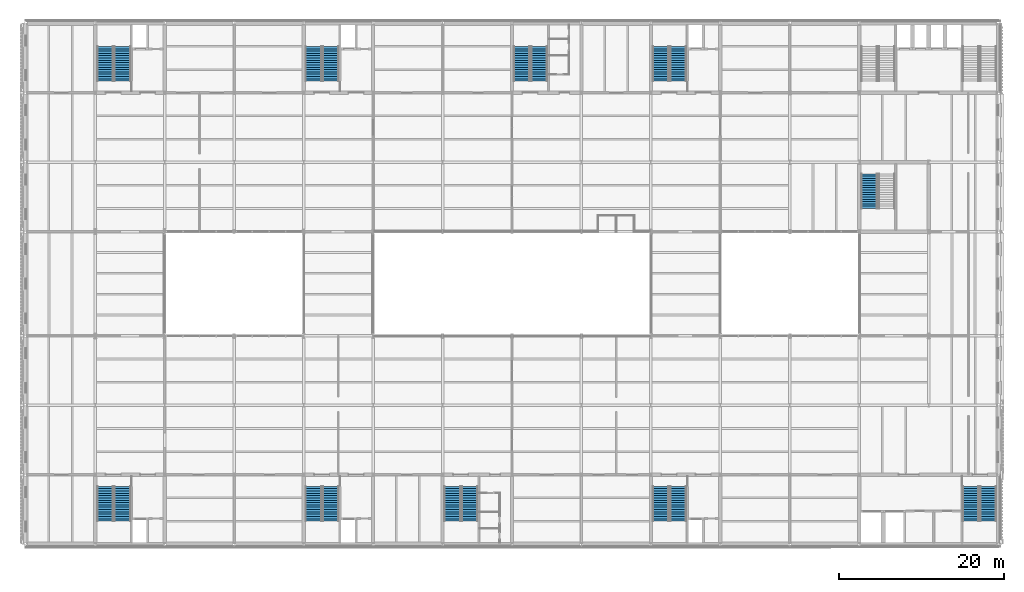
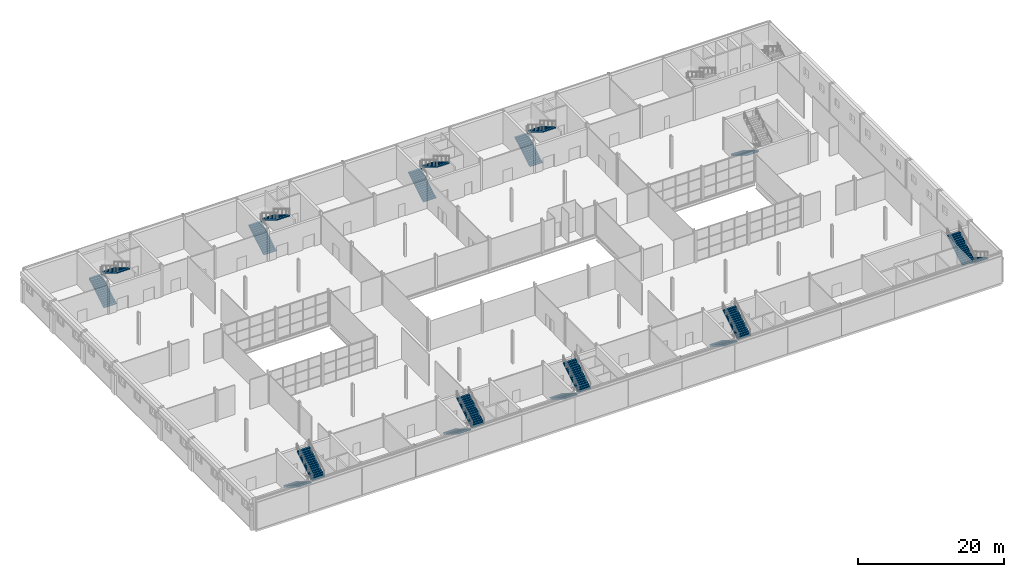
# One storey, part 36 of 57: 19 stair flights, 10 elements without a shape of their own.
"""IFC4 building model written with IfcOpenShell, lengths in metres."""

from ifc_helpers import new_model, si_unit, direction, frame, origin, place, context, subcontext, project, spatial, polyline, outline, extrude, material, type_object, element, aggregate, save


model = new_model("IFC4")

# Units and contexts
model_context = context("Model", 3, precision=1e-05, world=origin(), true_north=direction((0.0, 1.0)))
body_context = subcontext(model_context, "Body", "Model", "MODEL_VIEW")
ifc_project = project(units=[si_unit("LENGTHUNIT", "METRE"), si_unit("AREAUNIT", "SQUARE_METRE"), si_unit("VOLUMEUNIT", "CUBIC_METRE"), si_unit("PLANEANGLEUNIT", "RADIAN"), si_unit("MASSUNIT", "GRAM", prefix="KILO")], contexts=[model_context])

# Site, building, storey
site_placement = place(None, origin())
site = spatial("IfcSite", under=ifc_project, at=site_placement, CompositionType="ELEMENT")
building_placement = place(site_placement, origin())
building = spatial("IfcBuilding", under=site, at=building_placement, Name="Galleria Vessillo Department Store", CompositionType="ELEMENT")
storey_placement = place(building_placement, frame((0.0, 0.0, 25.800048828125)))
storey = spatial("IfcBuildingStorey", under=building, at=storey_placement, Name="L05", CompositionType="ELEMENT", Elevation=25.800048828125)

# Stair, stair flights
ifc_material_1 = material(Name="Concrete C32/40", Category="concrete")
stair_type = type_object("IfcStairType", Name="Half-turn escape stair 2000 mm, 32 risers of 169 mm", PredefinedType="HALF_TURN_STAIR", material=ifc_material_1)
stair_1_placement = place(storey_placement, origin())
stair_1 = element("IfcStair", 1, at=stair_1_placement, inside=storey, type_object=stair_type, Name="Stair ST1 L05", PredefinedType="HALF_TURN_STAIR")
ifc_material_2 = material(Name="Concrete C32/40", Category="concrete")
stair_flight_type = type_object("IfcStairFlightType", Name="Stair flight 2000 mm, 16 risers of 169 mm", PredefinedType="STRAIGHT", material=ifc_material_2)
stair_flight_1_placement = place(storey_placement, frame((9.60009765625, 7.00048828125, 0.0), z_axis=(0.0, 0.0, 1.0), x_axis=(0.0, -1.0, 0.0)))
stair_flight_1 = element("IfcStairFlight", 2, at=stair_flight_1_placement, type_object=stair_flight_type, Name="ST1 flight 1", NumberOfRisers=16, NumberOfTreads=15, PredefinedType="STRAIGHT", RiserHeight=0.16875, TreadLength=0.28, context=body_context, shape_type="SweptSolid", body=[
    extrude(outline(polyline([(0.0, 0.0), (0.0, 0.168701171875), (0.280029296875, 0.168701171875), (0.280029296875, 0.33740234375), (0.56005859375, 0.33740234375), (0.56005859375, 0.50634765625), (0.840087890625, 0.50634765625), (0.840087890625, 0.675048828125), (1.1201171875, 0.675048828125), (1.1201171875, 0.84375), (1.39990234375, 0.84375), (1.39990234375, 1.012451171875), (1.679931640625, 1.012451171875), (1.679931640625, 1.18115234375), (1.9599609375, 1.18115234375), (1.9599609375, 1.35009765625), (2.239990234375, 1.35009765625), (2.239990234375, 1.518798828125), (2.52001953125, 1.518798828125), (2.52001953125, 1.6875), (2.800048828125, 1.6875), (2.800048828125, 1.856201171875), (3.080078125, 1.856201171875), (3.080078125, 2.02490234375), (3.360107421875, 2.02490234375), (3.360107421875, 2.19384765625), (3.639892578125, 2.19384765625), (3.639892578125, 2.362548828125), (3.919921875, 2.362548828125), (3.919921875, 2.53125), (4.199951171875, 2.53125), (4.199951171875, 2.699951171875), (4.199951171875, 2.344482421875), (0.309814453125, 0.0), (0.0, 0.0)])), frame((0.0, 1.0, 0.0), z_axis=(0.0, -1.0, 0.0), x_axis=(1.0, 0.0, 0.0)), (0.0, 0.0, 1.0), 2.0),
])
stair_flight_2_placement = place(storey_placement, frame((11.699951171875, 2.800537109375, 2.699951171875), z_axis=(0.0, 0.0, 1.0), x_axis=(0.0, 1.0, 0.0)))
stair_flight_2 = element("IfcStairFlight", 3, at=stair_flight_2_placement, type_object=stair_flight_type, Name="ST1 flight 2", NumberOfRisers=16, NumberOfTreads=15, PredefinedType="STRAIGHT", RiserHeight=0.16875, TreadLength=0.28, context=body_context, shape_type="SweptSolid", body=[
    extrude(outline(polyline([(0.0, 0.0), (0.0, 0.168701171875), (0.280029296875, 0.168701171875), (0.280029296875, 0.33740234375), (0.56005859375, 0.33740234375), (0.56005859375, 0.50634765625), (0.840087890625, 0.50634765625), (0.840087890625, 0.675048828125), (1.1201171875, 0.675048828125), (1.1201171875, 0.84375), (1.39990234375, 0.84375), (1.39990234375, 1.012451171875), (1.679931640625, 1.012451171875), (1.679931640625, 1.18115234375), (1.9599609375, 1.18115234375), (1.9599609375, 1.35009765625), (2.239990234375, 1.35009765625), (2.239990234375, 1.518798828125), (2.52001953125, 1.518798828125), (2.52001953125, 1.6875), (2.800048828125, 1.6875), (2.800048828125, 1.856201171875), (3.080078125, 1.856201171875), (3.080078125, 2.02490234375), (3.360107421875, 2.02490234375), (3.360107421875, 2.19384765625), (3.639892578125, 2.19384765625), (3.639892578125, 2.362548828125), (3.919921875, 2.362548828125), (3.919921875, 2.53125), (4.199951171875, 2.53125), (4.199951171875, 2.699951171875), (4.199951171875, 2.344482421875), (0.309814453125, 0.0), (0.0, 0.0)])), frame((0.0, 1.0, 0.0), z_axis=(0.0, -1.0, 0.0), x_axis=(1.0, 0.0, 0.0)), (0.0, 0.0, 1.0), 2.0),
])
aggregate(stair_1, [stair_flight_1, stair_flight_2])

stair_2_placement = place(storey_placement, origin())
stair_2 = element("IfcStair", 4, at=stair_2_placement, inside=storey, type_object=stair_type, Name="Stair ST2 L05", PredefinedType="HALF_TURN_STAIR")
stair_flight_3_placement = place(storey_placement, frame((9.60009765625, 55.99951171875, 0.0), z_axis=(0.0, 0.0, 1.0), x_axis=(0.0, 1.0, 0.0)))
stair_flight_3 = element("IfcStairFlight", 5, at=stair_flight_3_placement, type_object=stair_flight_type, Name="ST2 flight 1", NumberOfRisers=16, NumberOfTreads=15, PredefinedType="STRAIGHT", RiserHeight=0.16875, TreadLength=0.28, context=body_context, shape_type="SweptSolid", body=[
    extrude(outline(polyline([(0.0, 0.0), (0.0, 0.168701171875), (0.280029296875, 0.168701171875), (0.280029296875, 0.33740234375), (0.56005859375, 0.33740234375), (0.56005859375, 0.50634765625), (0.840087890625, 0.50634765625), (0.840087890625, 0.675048828125), (1.1201171875, 0.675048828125), (1.1201171875, 0.84375), (1.39990234375, 0.84375), (1.39990234375, 1.012451171875), (1.679931640625, 1.012451171875), (1.679931640625, 1.18115234375), (1.9599609375, 1.18115234375), (1.9599609375, 1.35009765625), (2.239990234375, 1.35009765625), (2.239990234375, 1.518798828125), (2.52001953125, 1.518798828125), (2.52001953125, 1.6875), (2.800048828125, 1.6875), (2.800048828125, 1.856201171875), (3.080078125, 1.856201171875), (3.080078125, 2.02490234375), (3.360107421875, 2.02490234375), (3.360107421875, 2.19384765625), (3.639892578125, 2.19384765625), (3.639892578125, 2.362548828125), (3.919921875, 2.362548828125), (3.919921875, 2.53125), (4.199951171875, 2.53125), (4.199951171875, 2.699951171875), (4.199951171875, 2.344482421875), (0.309814453125, 0.0), (0.0, 0.0)])), frame((0.0, 1.0, 0.0), z_axis=(0.0, -1.0, 0.0), x_axis=(1.0, 0.0, 0.0)), (0.0, 0.0, 1.0), 2.0),
])
stair_flight_4_placement = place(storey_placement, frame((11.699951171875, 60.199462890625, 2.699951171875), z_axis=(0.0, 0.0, 1.0), x_axis=(0.0, -1.0, 0.0)))
stair_flight_4 = element("IfcStairFlight", 6, at=stair_flight_4_placement, type_object=stair_flight_type, Name="ST2 flight 2", NumberOfRisers=16, NumberOfTreads=15, PredefinedType="STRAIGHT", RiserHeight=0.16875, TreadLength=0.28, context=body_context, shape_type="SweptSolid", body=[
    extrude(outline(polyline([(0.0, 0.0), (0.0, 0.168701171875), (0.280029296875, 0.168701171875), (0.280029296875, 0.33740234375), (0.56005859375, 0.33740234375), (0.56005859375, 0.50634765625), (0.840087890625, 0.50634765625), (0.840087890625, 0.675048828125), (1.1201171875, 0.675048828125), (1.1201171875, 0.84375), (1.39990234375, 0.84375), (1.39990234375, 1.012451171875), (1.679931640625, 1.012451171875), (1.679931640625, 1.18115234375), (1.9599609375, 1.18115234375), (1.9599609375, 1.35009765625), (2.239990234375, 1.35009765625), (2.239990234375, 1.518798828125), (2.52001953125, 1.518798828125), (2.52001953125, 1.6875), (2.800048828125, 1.6875), (2.800048828125, 1.856201171875), (3.080078125, 1.856201171875), (3.080078125, 2.02490234375), (3.360107421875, 2.02490234375), (3.360107421875, 2.19384765625), (3.639892578125, 2.19384765625), (3.639892578125, 2.362548828125), (3.919921875, 2.362548828125), (3.919921875, 2.53125), (4.199951171875, 2.53125), (4.199951171875, 2.699951171875), (4.199951171875, 2.344482421875), (0.309814453125, 0.0), (0.0, 0.0)])), frame((0.0, 1.0, 0.0), z_axis=(0.0, -1.0, 0.0), x_axis=(1.0, 0.0, 0.0)), (0.0, 0.0, 1.0), 2.0),
])
aggregate(stair_2, [stair_flight_3, stair_flight_4])

stair_3_placement = place(storey_placement, origin())
stair_3 = element("IfcStair", 7, at=stair_3_placement, inside=storey, type_object=stair_type, Name="Stair ST3 L05", PredefinedType="HALF_TURN_STAIR")
stair_flight_5_placement = place(storey_placement, frame((34.800048828125, 7.00048828125, 0.0), z_axis=(0.0, 0.0, 1.0), x_axis=(0.0, -1.0, 0.0)))
stair_flight_5 = element("IfcStairFlight", 8, at=stair_flight_5_placement, type_object=stair_flight_type, Name="ST3 flight 1", NumberOfRisers=16, NumberOfTreads=15, PredefinedType="STRAIGHT", RiserHeight=0.16875, TreadLength=0.28, context=body_context, shape_type="SweptSolid", body=[
    extrude(outline(polyline([(0.0, 0.0), (0.0, 0.168701171875), (0.280029296875, 0.168701171875), (0.280029296875, 0.33740234375), (0.56005859375, 0.33740234375), (0.56005859375, 0.50634765625), (0.840087890625, 0.50634765625), (0.840087890625, 0.675048828125), (1.1201171875, 0.675048828125), (1.1201171875, 0.84375), (1.39990234375, 0.84375), (1.39990234375, 1.012451171875), (1.679931640625, 1.012451171875), (1.679931640625, 1.18115234375), (1.9599609375, 1.18115234375), (1.9599609375, 1.35009765625), (2.239990234375, 1.35009765625), (2.239990234375, 1.518798828125), (2.52001953125, 1.518798828125), (2.52001953125, 1.6875), (2.800048828125, 1.6875), (2.800048828125, 1.856201171875), (3.080078125, 1.856201171875), (3.080078125, 2.02490234375), (3.360107421875, 2.02490234375), (3.360107421875, 2.19384765625), (3.639892578125, 2.19384765625), (3.639892578125, 2.362548828125), (3.919921875, 2.362548828125), (3.919921875, 2.53125), (4.199951171875, 2.53125), (4.199951171875, 2.699951171875), (4.199951171875, 2.344482421875), (0.309814453125, 0.0), (0.0, 0.0)])), frame((0.0, 1.0, 0.0), z_axis=(0.0, -1.0, 0.0), x_axis=(1.0, 0.0, 0.0)), (0.0, 0.0, 1.0), 2.0),
])
stair_flight_6_placement = place(storey_placement, frame((36.89990234375, 2.800537109375, 2.699951171875), z_axis=(0.0, 0.0, 1.0), x_axis=(0.0, 1.0, 0.0)))
stair_flight_6 = element("IfcStairFlight", 9, at=stair_flight_6_placement, type_object=stair_flight_type, Name="ST3 flight 2", NumberOfRisers=16, NumberOfTreads=15, PredefinedType="STRAIGHT", RiserHeight=0.16875, TreadLength=0.28, context=body_context, shape_type="SweptSolid", body=[
    extrude(outline(polyline([(0.0, 0.0), (0.0, 0.168701171875), (0.280029296875, 0.168701171875), (0.280029296875, 0.33740234375), (0.56005859375, 0.33740234375), (0.56005859375, 0.50634765625), (0.840087890625, 0.50634765625), (0.840087890625, 0.675048828125), (1.1201171875, 0.675048828125), (1.1201171875, 0.84375), (1.39990234375, 0.84375), (1.39990234375, 1.012451171875), (1.679931640625, 1.012451171875), (1.679931640625, 1.18115234375), (1.9599609375, 1.18115234375), (1.9599609375, 1.35009765625), (2.239990234375, 1.35009765625), (2.239990234375, 1.518798828125), (2.52001953125, 1.518798828125), (2.52001953125, 1.6875), (2.800048828125, 1.6875), (2.800048828125, 1.856201171875), (3.080078125, 1.856201171875), (3.080078125, 2.02490234375), (3.360107421875, 2.02490234375), (3.360107421875, 2.19384765625), (3.639892578125, 2.19384765625), (3.639892578125, 2.362548828125), (3.919921875, 2.362548828125), (3.919921875, 2.53125), (4.199951171875, 2.53125), (4.199951171875, 2.699951171875), (4.199951171875, 2.344482421875), (0.309814453125, 0.0), (0.0, 0.0)])), frame((0.0, 1.0, 0.0), z_axis=(0.0, -1.0, 0.0), x_axis=(1.0, 0.0, 0.0)), (0.0, 0.0, 1.0), 2.0),
])
aggregate(stair_3, [stair_flight_5, stair_flight_6])

stair_4_placement = place(storey_placement, origin())
stair_4 = element("IfcStair", 10, at=stair_4_placement, inside=storey, type_object=stair_type, Name="Stair ST4 L05", PredefinedType="HALF_TURN_STAIR")
stair_flight_7_placement = place(storey_placement, frame((34.800048828125, 55.99951171875, 0.0), z_axis=(0.0, 0.0, 1.0), x_axis=(0.0, 1.0, 0.0)))
stair_flight_7 = element("IfcStairFlight", 11, at=stair_flight_7_placement, type_object=stair_flight_type, Name="ST4 flight 1", NumberOfRisers=16, NumberOfTreads=15, PredefinedType="STRAIGHT", RiserHeight=0.16875, TreadLength=0.28, context=body_context, shape_type="SweptSolid", body=[
    extrude(outline(polyline([(0.0, 0.0), (0.0, 0.168701171875), (0.280029296875, 0.168701171875), (0.280029296875, 0.33740234375), (0.56005859375, 0.33740234375), (0.56005859375, 0.50634765625), (0.840087890625, 0.50634765625), (0.840087890625, 0.675048828125), (1.1201171875, 0.675048828125), (1.1201171875, 0.84375), (1.39990234375, 0.84375), (1.39990234375, 1.012451171875), (1.679931640625, 1.012451171875), (1.679931640625, 1.18115234375), (1.9599609375, 1.18115234375), (1.9599609375, 1.35009765625), (2.239990234375, 1.35009765625), (2.239990234375, 1.518798828125), (2.52001953125, 1.518798828125), (2.52001953125, 1.6875), (2.800048828125, 1.6875), (2.800048828125, 1.856201171875), (3.080078125, 1.856201171875), (3.080078125, 2.02490234375), (3.360107421875, 2.02490234375), (3.360107421875, 2.19384765625), (3.639892578125, 2.19384765625), (3.639892578125, 2.362548828125), (3.919921875, 2.362548828125), (3.919921875, 2.53125), (4.199951171875, 2.53125), (4.199951171875, 2.699951171875), (4.199951171875, 2.344482421875), (0.309814453125, 0.0), (0.0, 0.0)])), frame((0.0, 1.0, 0.0), z_axis=(0.0, -1.0, 0.0), x_axis=(1.0, 0.0, 0.0)), (0.0, 0.0, 1.0), 2.0),
])
stair_flight_8_placement = place(storey_placement, frame((36.89990234375, 60.199462890625, 2.699951171875), z_axis=(0.0, 0.0, 1.0), x_axis=(0.0, -1.0, 0.0)))
stair_flight_8 = element("IfcStairFlight", 12, at=stair_flight_8_placement, type_object=stair_flight_type, Name="ST4 flight 2", NumberOfRisers=16, NumberOfTreads=15, PredefinedType="STRAIGHT", RiserHeight=0.16875, TreadLength=0.28, context=body_context, shape_type="SweptSolid", body=[
    extrude(outline(polyline([(0.0, 0.0), (0.0, 0.168701171875), (0.280029296875, 0.168701171875), (0.280029296875, 0.33740234375), (0.56005859375, 0.33740234375), (0.56005859375, 0.50634765625), (0.840087890625, 0.50634765625), (0.840087890625, 0.675048828125), (1.1201171875, 0.675048828125), (1.1201171875, 0.84375), (1.39990234375, 0.84375), (1.39990234375, 1.012451171875), (1.679931640625, 1.012451171875), (1.679931640625, 1.18115234375), (1.9599609375, 1.18115234375), (1.9599609375, 1.35009765625), (2.239990234375, 1.35009765625), (2.239990234375, 1.518798828125), (2.52001953125, 1.518798828125), (2.52001953125, 1.6875), (2.800048828125, 1.6875), (2.800048828125, 1.856201171875), (3.080078125, 1.856201171875), (3.080078125, 2.02490234375), (3.360107421875, 2.02490234375), (3.360107421875, 2.19384765625), (3.639892578125, 2.19384765625), (3.639892578125, 2.362548828125), (3.919921875, 2.362548828125), (3.919921875, 2.53125), (4.199951171875, 2.53125), (4.199951171875, 2.699951171875), (4.199951171875, 2.344482421875), (0.309814453125, 0.0), (0.0, 0.0)])), frame((0.0, 1.0, 0.0), z_axis=(0.0, -1.0, 0.0), x_axis=(1.0, 0.0, 0.0)), (0.0, 0.0, 1.0), 2.0),
])
aggregate(stair_4, [stair_flight_7, stair_flight_8])

stair_5_placement = place(storey_placement, origin())
stair_5 = element("IfcStair", 13, at=stair_5_placement, inside=storey, type_object=stair_type, Name="Stair ST5 L05", PredefinedType="HALF_TURN_STAIR")
stair_flight_9_placement = place(storey_placement, frame((76.800048828125, 7.00048828125, 0.0), z_axis=(0.0, 0.0, 1.0), x_axis=(0.0, -1.0, 0.0)))
stair_flight_9 = element("IfcStairFlight", 14, at=stair_flight_9_placement, type_object=stair_flight_type, Name="ST5 flight 1", NumberOfRisers=16, NumberOfTreads=15, PredefinedType="STRAIGHT", RiserHeight=0.16875, TreadLength=0.28, context=body_context, shape_type="SweptSolid", body=[
    extrude(outline(polyline([(0.0, 0.0), (0.0, 0.168701171875), (0.280029296875, 0.168701171875), (0.280029296875, 0.33740234375), (0.56005859375, 0.33740234375), (0.56005859375, 0.50634765625), (0.840087890625, 0.50634765625), (0.840087890625, 0.675048828125), (1.1201171875, 0.675048828125), (1.1201171875, 0.84375), (1.39990234375, 0.84375), (1.39990234375, 1.012451171875), (1.679931640625, 1.012451171875), (1.679931640625, 1.18115234375), (1.9599609375, 1.18115234375), (1.9599609375, 1.35009765625), (2.239990234375, 1.35009765625), (2.239990234375, 1.518798828125), (2.52001953125, 1.518798828125), (2.52001953125, 1.6875), (2.800048828125, 1.6875), (2.800048828125, 1.856201171875), (3.080078125, 1.856201171875), (3.080078125, 2.02490234375), (3.360107421875, 2.02490234375), (3.360107421875, 2.19384765625), (3.639892578125, 2.19384765625), (3.639892578125, 2.362548828125), (3.919921875, 2.362548828125), (3.919921875, 2.53125), (4.199951171875, 2.53125), (4.199951171875, 2.699951171875), (4.199951171875, 2.344482421875), (0.309814453125, 0.0), (0.0, 0.0)])), frame((0.0, 1.0, 0.0), z_axis=(0.0, -1.0, 0.0), x_axis=(1.0, 0.0, 0.0)), (0.0, 0.0, 1.0), 2.0),
])
stair_flight_10_placement = place(storey_placement, frame((78.89990234375, 2.800537109375, 2.699951171875), z_axis=(0.0, 0.0, 1.0), x_axis=(0.0, 1.0, 0.0)))
stair_flight_10 = element("IfcStairFlight", 15, at=stair_flight_10_placement, type_object=stair_flight_type, Name="ST5 flight 2", NumberOfRisers=16, NumberOfTreads=15, PredefinedType="STRAIGHT", RiserHeight=0.16875, TreadLength=0.28, context=body_context, shape_type="SweptSolid", body=[
    extrude(outline(polyline([(0.0, 0.0), (0.0, 0.168701171875), (0.280029296875, 0.168701171875), (0.280029296875, 0.33740234375), (0.56005859375, 0.33740234375), (0.56005859375, 0.50634765625), (0.840087890625, 0.50634765625), (0.840087890625, 0.675048828125), (1.1201171875, 0.675048828125), (1.1201171875, 0.84375), (1.39990234375, 0.84375), (1.39990234375, 1.012451171875), (1.679931640625, 1.012451171875), (1.679931640625, 1.18115234375), (1.9599609375, 1.18115234375), (1.9599609375, 1.35009765625), (2.239990234375, 1.35009765625), (2.239990234375, 1.518798828125), (2.52001953125, 1.518798828125), (2.52001953125, 1.6875), (2.800048828125, 1.6875), (2.800048828125, 1.856201171875), (3.080078125, 1.856201171875), (3.080078125, 2.02490234375), (3.360107421875, 2.02490234375), (3.360107421875, 2.19384765625), (3.639892578125, 2.19384765625), (3.639892578125, 2.362548828125), (3.919921875, 2.362548828125), (3.919921875, 2.53125), (4.199951171875, 2.53125), (4.199951171875, 2.699951171875), (4.199951171875, 2.344482421875), (0.309814453125, 0.0), (0.0, 0.0)])), frame((0.0, 1.0, 0.0), z_axis=(0.0, -1.0, 0.0), x_axis=(1.0, 0.0, 0.0)), (0.0, 0.0, 1.0), 2.0),
])
aggregate(stair_5, [stair_flight_9, stair_flight_10])

stair_6_placement = place(storey_placement, origin())
stair_6 = element("IfcStair", 16, at=stair_6_placement, inside=storey, type_object=stair_type, Name="Stair ST6 L05", PredefinedType="HALF_TURN_STAIR")
stair_flight_11_placement = place(storey_placement, frame((76.800048828125, 55.99951171875, 0.0), z_axis=(0.0, 0.0, 1.0), x_axis=(0.0, 1.0, 0.0)))
stair_flight_11 = element("IfcStairFlight", 17, at=stair_flight_11_placement, type_object=stair_flight_type, Name="ST6 flight 1", NumberOfRisers=16, NumberOfTreads=15, PredefinedType="STRAIGHT", RiserHeight=0.16875, TreadLength=0.28, context=body_context, shape_type="SweptSolid", body=[
    extrude(outline(polyline([(0.0, 0.0), (0.0, 0.168701171875), (0.280029296875, 0.168701171875), (0.280029296875, 0.33740234375), (0.56005859375, 0.33740234375), (0.56005859375, 0.50634765625), (0.840087890625, 0.50634765625), (0.840087890625, 0.675048828125), (1.1201171875, 0.675048828125), (1.1201171875, 0.84375), (1.39990234375, 0.84375), (1.39990234375, 1.012451171875), (1.679931640625, 1.012451171875), (1.679931640625, 1.18115234375), (1.9599609375, 1.18115234375), (1.9599609375, 1.35009765625), (2.239990234375, 1.35009765625), (2.239990234375, 1.518798828125), (2.52001953125, 1.518798828125), (2.52001953125, 1.6875), (2.800048828125, 1.6875), (2.800048828125, 1.856201171875), (3.080078125, 1.856201171875), (3.080078125, 2.02490234375), (3.360107421875, 2.02490234375), (3.360107421875, 2.19384765625), (3.639892578125, 2.19384765625), (3.639892578125, 2.362548828125), (3.919921875, 2.362548828125), (3.919921875, 2.53125), (4.199951171875, 2.53125), (4.199951171875, 2.699951171875), (4.199951171875, 2.344482421875), (0.309814453125, 0.0), (0.0, 0.0)])), frame((0.0, 1.0, 0.0), z_axis=(0.0, -1.0, 0.0), x_axis=(1.0, 0.0, 0.0)), (0.0, 0.0, 1.0), 2.0),
])
stair_flight_12_placement = place(storey_placement, frame((78.89990234375, 60.199462890625, 2.699951171875), z_axis=(0.0, 0.0, 1.0), x_axis=(0.0, -1.0, 0.0)))
stair_flight_12 = element("IfcStairFlight", 18, at=stair_flight_12_placement, type_object=stair_flight_type, Name="ST6 flight 2", NumberOfRisers=16, NumberOfTreads=15, PredefinedType="STRAIGHT", RiserHeight=0.16875, TreadLength=0.28, context=body_context, shape_type="SweptSolid", body=[
    extrude(outline(polyline([(0.0, 0.0), (0.0, 0.168701171875), (0.280029296875, 0.168701171875), (0.280029296875, 0.33740234375), (0.56005859375, 0.33740234375), (0.56005859375, 0.50634765625), (0.840087890625, 0.50634765625), (0.840087890625, 0.675048828125), (1.1201171875, 0.675048828125), (1.1201171875, 0.84375), (1.39990234375, 0.84375), (1.39990234375, 1.012451171875), (1.679931640625, 1.012451171875), (1.679931640625, 1.18115234375), (1.9599609375, 1.18115234375), (1.9599609375, 1.35009765625), (2.239990234375, 1.35009765625), (2.239990234375, 1.518798828125), (2.52001953125, 1.518798828125), (2.52001953125, 1.6875), (2.800048828125, 1.6875), (2.800048828125, 1.856201171875), (3.080078125, 1.856201171875), (3.080078125, 2.02490234375), (3.360107421875, 2.02490234375), (3.360107421875, 2.19384765625), (3.639892578125, 2.19384765625), (3.639892578125, 2.362548828125), (3.919921875, 2.362548828125), (3.919921875, 2.53125), (4.199951171875, 2.53125), (4.199951171875, 2.699951171875), (4.199951171875, 2.344482421875), (0.309814453125, 0.0), (0.0, 0.0)])), frame((0.0, 1.0, 0.0), z_axis=(0.0, -1.0, 0.0), x_axis=(1.0, 0.0, 0.0)), (0.0, 0.0, 1.0), 2.0),
])
aggregate(stair_6, [stair_flight_11, stair_flight_12])

stair_7_placement = place(storey_placement, origin())
stair_7 = element("IfcStair", 19, at=stair_7_placement, inside=storey, type_object=stair_type, Name="Stair ST10 L05", PredefinedType="HALF_TURN_STAIR")
stair_flight_13_placement = place(storey_placement, frame((51.60009765625, 7.00048828125, 0.0), z_axis=(0.0, 0.0, 1.0), x_axis=(0.0, -1.0, 0.0)))
stair_flight_13 = element("IfcStairFlight", 20, at=stair_flight_13_placement, type_object=stair_flight_type, Name="ST10 flight 1", NumberOfRisers=16, NumberOfTreads=15, PredefinedType="STRAIGHT", RiserHeight=0.16875, TreadLength=0.28, context=body_context, shape_type="SweptSolid", body=[
    extrude(outline(polyline([(0.0, 0.0), (0.0, 0.168701171875), (0.280029296875, 0.168701171875), (0.280029296875, 0.33740234375), (0.56005859375, 0.33740234375), (0.56005859375, 0.50634765625), (0.840087890625, 0.50634765625), (0.840087890625, 0.675048828125), (1.1201171875, 0.675048828125), (1.1201171875, 0.84375), (1.39990234375, 0.84375), (1.39990234375, 1.012451171875), (1.679931640625, 1.012451171875), (1.679931640625, 1.18115234375), (1.9599609375, 1.18115234375), (1.9599609375, 1.35009765625), (2.239990234375, 1.35009765625), (2.239990234375, 1.518798828125), (2.52001953125, 1.518798828125), (2.52001953125, 1.6875), (2.800048828125, 1.6875), (2.800048828125, 1.856201171875), (3.080078125, 1.856201171875), (3.080078125, 2.02490234375), (3.360107421875, 2.02490234375), (3.360107421875, 2.19384765625), (3.639892578125, 2.19384765625), (3.639892578125, 2.362548828125), (3.919921875, 2.362548828125), (3.919921875, 2.53125), (4.199951171875, 2.53125), (4.199951171875, 2.699951171875), (4.199951171875, 2.344482421875), (0.309814453125, 0.0), (0.0, 0.0)])), frame((0.0, 1.0, 0.0), z_axis=(0.0, -1.0, 0.0), x_axis=(1.0, 0.0, 0.0)), (0.0, 0.0, 1.0), 2.0),
])
stair_flight_14_placement = place(storey_placement, frame((53.699951171875, 2.800537109375, 2.699951171875), z_axis=(0.0, 0.0, 1.0), x_axis=(0.0, 1.0, 0.0)))
stair_flight_14 = element("IfcStairFlight", 21, at=stair_flight_14_placement, type_object=stair_flight_type, Name="ST10 flight 2", NumberOfRisers=16, NumberOfTreads=15, PredefinedType="STRAIGHT", RiserHeight=0.16875, TreadLength=0.28, context=body_context, shape_type="SweptSolid", body=[
    extrude(outline(polyline([(0.0, 0.0), (0.0, 0.168701171875), (0.280029296875, 0.168701171875), (0.280029296875, 0.33740234375), (0.56005859375, 0.33740234375), (0.56005859375, 0.50634765625), (0.840087890625, 0.50634765625), (0.840087890625, 0.675048828125), (1.1201171875, 0.675048828125), (1.1201171875, 0.84375), (1.39990234375, 0.84375), (1.39990234375, 1.012451171875), (1.679931640625, 1.012451171875), (1.679931640625, 1.18115234375), (1.9599609375, 1.18115234375), (1.9599609375, 1.35009765625), (2.239990234375, 1.35009765625), (2.239990234375, 1.518798828125), (2.52001953125, 1.518798828125), (2.52001953125, 1.6875), (2.800048828125, 1.6875), (2.800048828125, 1.856201171875), (3.080078125, 1.856201171875), (3.080078125, 2.02490234375), (3.360107421875, 2.02490234375), (3.360107421875, 2.19384765625), (3.639892578125, 2.19384765625), (3.639892578125, 2.362548828125), (3.919921875, 2.362548828125), (3.919921875, 2.53125), (4.199951171875, 2.53125), (4.199951171875, 2.699951171875), (4.199951171875, 2.344482421875), (0.309814453125, 0.0), (0.0, 0.0)])), frame((0.0, 1.0, 0.0), z_axis=(0.0, -1.0, 0.0), x_axis=(1.0, 0.0, 0.0)), (0.0, 0.0, 1.0), 2.0),
])
aggregate(stair_7, [stair_flight_13, stair_flight_14])

stair_8_placement = place(storey_placement, origin())
stair_8 = element("IfcStair", 22, at=stair_8_placement, inside=storey, type_object=stair_type, Name="Stair ST11 L05", PredefinedType="HALF_TURN_STAIR")
stair_flight_15_placement = place(storey_placement, frame((60.0, 55.99951171875, 0.0), z_axis=(0.0, 0.0, 1.0), x_axis=(0.0, 1.0, 0.0)))
stair_flight_15 = element("IfcStairFlight", 23, at=stair_flight_15_placement, type_object=stair_flight_type, Name="ST11 flight 1", NumberOfRisers=16, NumberOfTreads=15, PredefinedType="STRAIGHT", RiserHeight=0.16875, TreadLength=0.28, context=body_context, shape_type="SweptSolid", body=[
    extrude(outline(polyline([(0.0, 0.0), (0.0, 0.168701171875), (0.280029296875, 0.168701171875), (0.280029296875, 0.33740234375), (0.56005859375, 0.33740234375), (0.56005859375, 0.50634765625), (0.840087890625, 0.50634765625), (0.840087890625, 0.675048828125), (1.1201171875, 0.675048828125), (1.1201171875, 0.84375), (1.39990234375, 0.84375), (1.39990234375, 1.012451171875), (1.679931640625, 1.012451171875), (1.679931640625, 1.18115234375), (1.9599609375, 1.18115234375), (1.9599609375, 1.35009765625), (2.239990234375, 1.35009765625), (2.239990234375, 1.518798828125), (2.52001953125, 1.518798828125), (2.52001953125, 1.6875), (2.800048828125, 1.6875), (2.800048828125, 1.856201171875), (3.080078125, 1.856201171875), (3.080078125, 2.02490234375), (3.360107421875, 2.02490234375), (3.360107421875, 2.19384765625), (3.639892578125, 2.19384765625), (3.639892578125, 2.362548828125), (3.919921875, 2.362548828125), (3.919921875, 2.53125), (4.199951171875, 2.53125), (4.199951171875, 2.699951171875), (4.199951171875, 2.344482421875), (0.309814453125, 0.0), (0.0, 0.0)])), frame((0.0, 1.0, 0.0), z_axis=(0.0, -1.0, 0.0), x_axis=(1.0, 0.0, 0.0)), (0.0, 0.0, 1.0), 2.0),
])
stair_flight_16_placement = place(storey_placement, frame((62.10009765625, 60.199462890625, 2.699951171875), z_axis=(0.0, 0.0, 1.0), x_axis=(0.0, -1.0, 0.0)))
stair_flight_16 = element("IfcStairFlight", 24, at=stair_flight_16_placement, type_object=stair_flight_type, Name="ST11 flight 2", NumberOfRisers=16, NumberOfTreads=15, PredefinedType="STRAIGHT", RiserHeight=0.16875, TreadLength=0.28, context=body_context, shape_type="SweptSolid", body=[
    extrude(outline(polyline([(0.0, 0.0), (0.0, 0.168701171875), (0.280029296875, 0.168701171875), (0.280029296875, 0.33740234375), (0.56005859375, 0.33740234375), (0.56005859375, 0.50634765625), (0.840087890625, 0.50634765625), (0.840087890625, 0.675048828125), (1.1201171875, 0.675048828125), (1.1201171875, 0.84375), (1.39990234375, 0.84375), (1.39990234375, 1.012451171875), (1.679931640625, 1.012451171875), (1.679931640625, 1.18115234375), (1.9599609375, 1.18115234375), (1.9599609375, 1.35009765625), (2.239990234375, 1.35009765625), (2.239990234375, 1.518798828125), (2.52001953125, 1.518798828125), (2.52001953125, 1.6875), (2.800048828125, 1.6875), (2.800048828125, 1.856201171875), (3.080078125, 1.856201171875), (3.080078125, 2.02490234375), (3.360107421875, 2.02490234375), (3.360107421875, 2.19384765625), (3.639892578125, 2.19384765625), (3.639892578125, 2.362548828125), (3.919921875, 2.362548828125), (3.919921875, 2.53125), (4.199951171875, 2.53125), (4.199951171875, 2.699951171875), (4.199951171875, 2.344482421875), (0.309814453125, 0.0), (0.0, 0.0)])), frame((0.0, 1.0, 0.0), z_axis=(0.0, -1.0, 0.0), x_axis=(1.0, 0.0, 0.0)), (0.0, 0.0, 1.0), 2.0),
])
aggregate(stair_8, [stair_flight_15, stair_flight_16])

stair_9_placement = place(storey_placement, origin())
stair_9 = element("IfcStair", 25, at=stair_9_placement, inside=storey, type_object=stair_type, Name="Stair ST7 L05", PredefinedType="HALF_TURN_STAIR")
stair_flight_17_placement = place(storey_placement, frame((116.39990234375, 7.00048828125, 0.0), z_axis=(0.0, 0.0, 1.0), x_axis=(0.0, -1.0, 0.0)))
stair_flight_17 = element("IfcStairFlight", 26, at=stair_flight_17_placement, type_object=stair_flight_type, Name="ST7 flight 1", NumberOfRisers=16, NumberOfTreads=15, PredefinedType="STRAIGHT", RiserHeight=0.16875, TreadLength=0.28, context=body_context, shape_type="SweptSolid", body=[
    extrude(outline(polyline([(0.0, 0.0), (0.0, 0.168701171875), (0.280029296875, 0.168701171875), (0.280029296875, 0.33740234375), (0.56005859375, 0.33740234375), (0.56005859375, 0.50634765625), (0.840087890625, 0.50634765625), (0.840087890625, 0.675048828125), (1.1201171875, 0.675048828125), (1.1201171875, 0.84375), (1.39990234375, 0.84375), (1.39990234375, 1.012451171875), (1.679931640625, 1.012451171875), (1.679931640625, 1.18115234375), (1.9599609375, 1.18115234375), (1.9599609375, 1.35009765625), (2.239990234375, 1.35009765625), (2.239990234375, 1.518798828125), (2.52001953125, 1.518798828125), (2.52001953125, 1.6875), (2.800048828125, 1.6875), (2.800048828125, 1.856201171875), (3.080078125, 1.856201171875), (3.080078125, 2.02490234375), (3.360107421875, 2.02490234375), (3.360107421875, 2.19384765625), (3.639892578125, 2.19384765625), (3.639892578125, 2.362548828125), (3.919921875, 2.362548828125), (3.919921875, 2.53125), (4.199951171875, 2.53125), (4.199951171875, 2.699951171875), (4.199951171875, 2.344482421875), (0.309814453125, 0.0), (0.0, 0.0)])), frame((0.0, 1.0, 0.0), z_axis=(0.0, -1.0, 0.0), x_axis=(1.0, 0.0, 0.0)), (0.0, 0.0, 1.0), 2.0),
])
stair_flight_18_placement = place(storey_placement, frame((114.300048828125, 2.800537109375, 2.699951171875), z_axis=(0.0, 0.0, 1.0), x_axis=(0.0, 1.0, 0.0)))
stair_flight_18 = element("IfcStairFlight", 27, at=stair_flight_18_placement, type_object=stair_flight_type, Name="ST7 flight 2", NumberOfRisers=16, NumberOfTreads=15, PredefinedType="STRAIGHT", RiserHeight=0.16875, TreadLength=0.28, context=body_context, shape_type="SweptSolid", body=[
    extrude(outline(polyline([(0.0, 0.0), (0.0, 0.168701171875), (0.280029296875, 0.168701171875), (0.280029296875, 0.33740234375), (0.56005859375, 0.33740234375), (0.56005859375, 0.50634765625), (0.840087890625, 0.50634765625), (0.840087890625, 0.675048828125), (1.1201171875, 0.675048828125), (1.1201171875, 0.84375), (1.39990234375, 0.84375), (1.39990234375, 1.012451171875), (1.679931640625, 1.012451171875), (1.679931640625, 1.18115234375), (1.9599609375, 1.18115234375), (1.9599609375, 1.35009765625), (2.239990234375, 1.35009765625), (2.239990234375, 1.518798828125), (2.52001953125, 1.518798828125), (2.52001953125, 1.6875), (2.800048828125, 1.6875), (2.800048828125, 1.856201171875), (3.080078125, 1.856201171875), (3.080078125, 2.02490234375), (3.360107421875, 2.02490234375), (3.360107421875, 2.19384765625), (3.639892578125, 2.19384765625), (3.639892578125, 2.362548828125), (3.919921875, 2.362548828125), (3.919921875, 2.53125), (4.199951171875, 2.53125), (4.199951171875, 2.699951171875), (4.199951171875, 2.344482421875), (0.309814453125, 0.0), (0.0, 0.0)])), frame((0.0, 1.0, 0.0), z_axis=(0.0, -1.0, 0.0), x_axis=(1.0, 0.0, 0.0)), (0.0, 0.0, 1.0), 2.0),
])
aggregate(stair_9, [stair_flight_17, stair_flight_18])

# Stair, stair flight
stair_10_placement = place(storey_placement, origin())
stair_10 = element("IfcStair", 28, at=stair_10_placement, inside=storey, type_object=stair_type, Name="Stair ST12 L05", PredefinedType="HALF_TURN_STAIR")
stair_flight_19_placement = place(storey_placement, frame((102.0, 44.800537109375, 0.0), z_axis=(0.0, 0.0, 1.0), x_axis=(0.0, -1.0, 0.0)))
stair_flight_19 = element("IfcStairFlight", 29, at=stair_flight_19_placement, type_object=stair_flight_type, Name="ST12 flight 1", NumberOfRisers=16, NumberOfTreads=15, PredefinedType="STRAIGHT", RiserHeight=0.16875, TreadLength=0.28, context=body_context, shape_type="SweptSolid", body=[
    extrude(outline(polyline([(0.0, 0.0), (0.0, 0.168701171875), (0.280029296875, 0.168701171875), (0.280029296875, 0.33740234375), (0.56005859375, 0.33740234375), (0.56005859375, 0.50634765625), (0.840087890625, 0.50634765625), (0.840087890625, 0.675048828125), (1.1201171875, 0.675048828125), (1.1201171875, 0.84375), (1.39990234375, 0.84375), (1.39990234375, 1.012451171875), (1.679931640625, 1.012451171875), (1.679931640625, 1.18115234375), (1.9599609375, 1.18115234375), (1.9599609375, 1.35009765625), (2.239990234375, 1.35009765625), (2.239990234375, 1.518798828125), (2.52001953125, 1.518798828125), (2.52001953125, 1.6875), (2.800048828125, 1.6875), (2.800048828125, 1.856201171875), (3.080078125, 1.856201171875), (3.080078125, 2.02490234375), (3.360107421875, 2.02490234375), (3.360107421875, 2.19384765625), (3.639892578125, 2.19384765625), (3.639892578125, 2.362548828125), (3.919921875, 2.362548828125), (3.919921875, 2.53125), (4.199951171875, 2.53125), (4.199951171875, 2.699951171875), (4.199951171875, 2.344482421875), (0.309814453125, 0.0), (0.0, 0.0)])), frame((0.0, 1.0, 0.0), z_axis=(0.0, -1.0, 0.0), x_axis=(1.0, 0.0, 0.0)), (0.0, 0.0, 1.0), 2.0),
])
aggregate(stair_10, [stair_flight_19])

save(model, "model.ifc")
